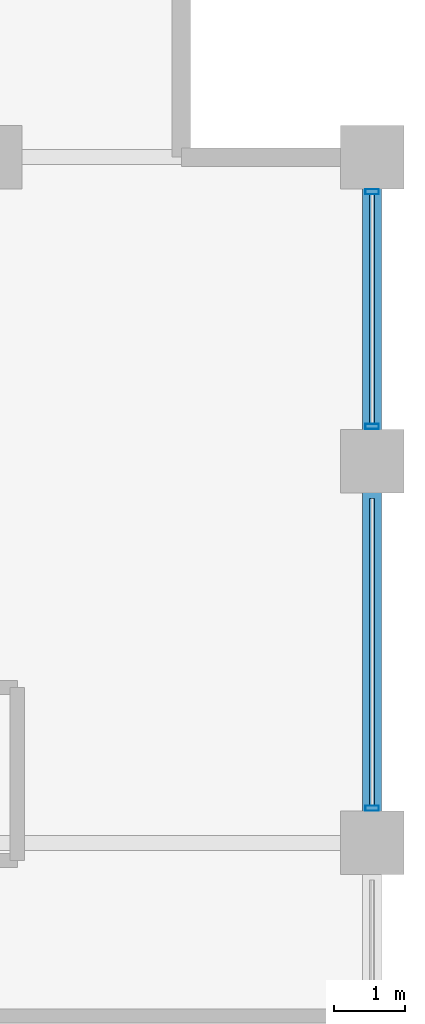
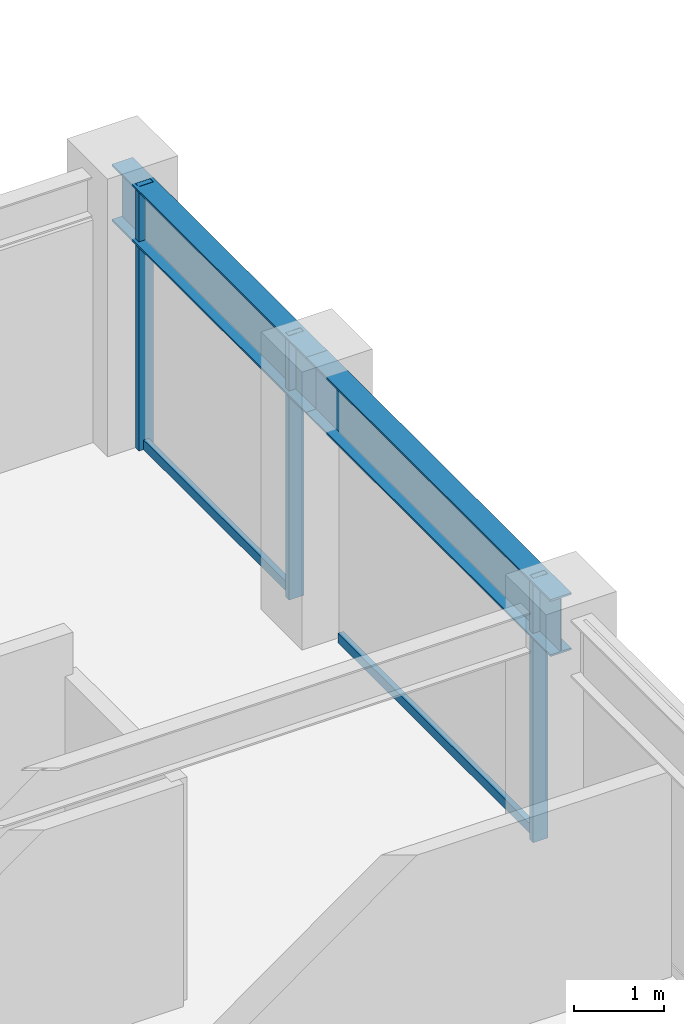
# One storey, part 25 of 32: 5 members, 2 beams, 1 element without a shape of its own.
"""IFC4 building model written with IfcOpenShell, lengths in metres."""

from ifc_helpers import new_model, si_unit, direction, frame, origin, origin_2d, place, context, subcontext, project, spatial, hollow_rectangle, i_section, extrude, material, layer, layer_set, material_profile, profile_set, type_object, element, aggregate, save


model = new_model("IFC4")

# Units and contexts
model_context = context("Model", 3, precision=1e-05, world=origin(), true_north=direction((0.0, 1.0)))
body_context = subcontext(model_context, "Body", "Model", "MODEL_VIEW")
ifc_project = project(units=[si_unit("LENGTHUNIT", "METRE"), si_unit("AREAUNIT", "SQUARE_METRE"), si_unit("VOLUMEUNIT", "CUBIC_METRE"), si_unit("PLANEANGLEUNIT", "RADIAN"), si_unit("MASSUNIT", "GRAM", prefix="KILO")], contexts=[model_context])

# Site, building, storey
site_placement = place(None, origin())
site = spatial("IfcSite", under=ifc_project, at=site_placement, CompositionType="ELEMENT")
building_placement = place(site_placement, origin())
building = spatial("IfcBuilding", under=site, at=building_placement, Name="Surkhivell Harbour Commons", CompositionType="ELEMENT")
storey_placement = place(building_placement, frame((0.0, 0.0, 208.5)))
storey = spatial("IfcBuildingStorey", under=building, at=storey_placement, Name="L54", CompositionType="ELEMENT", Elevation=208.5)

# Beams
ifc_material_1 = material(Name="Steel S355", Category="steel")
ifc_material_profile_1 = material_profile(ifc_material_1, i_section(OverallWidth=0.26806640625, OverallDepth=0.77001953125, WebThickness=0.015625, FlangeThickness=0.025390625, at=origin_2d()), Name="UB762x267x197")
ifc_profile_set_1 = profile_set([ifc_material_profile_1], Name="Steel S355")
beam_type = type_object("IfcBeamType", Name="BM-SPN-762", PredefinedType="SPANDREL", material=ifc_profile_set_1)
beam_1_placement = place(storey_placement, frame((21.60009765625, 10.800048828125, 3.18505859375), z_axis=(0.0, 1.0, 0.0), x_axis=(-1.0, 0.0, 0.0)))
element("IfcBeam", 1, at=beam_1_placement, inside=storey, type_object=beam_type, Name="L54 Tube Spandrel (21.6,10.8)", PredefinedType="SPANDREL", context=body_context, shape_type="SweptSolid", body=[
    extrude(i_section(OverallWidth=0.26806640625, OverallDepth=0.77001953125, WebThickness=0.015625, FlangeThickness=0.025390625, at=origin_2d()), origin(), (0.0, 0.0, 1.0), 5.39990234375),
])
beam_2_placement = place(storey_placement, frame((21.60009765625, 16.199951171875, 3.18505859375), z_axis=(0.0, 1.0, 0.0), x_axis=(-1.0, 0.0, 0.0)))
element("IfcBeam", 2, at=beam_2_placement, inside=storey, type_object=beam_type, Name="L54 Tube Spandrel (21.6,16.2)", PredefinedType="SPANDREL", context=body_context, shape_type="SweptSolid", body=[
    extrude(i_section(OverallWidth=0.26806640625, OverallDepth=0.77001953125, WebThickness=0.015625, FlangeThickness=0.025390625, at=origin_2d()), origin(), (0.0, 0.0, 1.0), 4.300048828125),
])

# Curtain wall, members
ifc_material_2 = material(Name="Anodised pale-metal aluminium and insulated glazing", Category="aluminium")
ifc_layer = layer(ifc_material_2, 0.18994140625)
ifc_layer_set = layer_set([ifc_layer], Name="Anodised pale-metal aluminium and insulated glazing")
curtain_wall_type = type_object("IfcCurtainWallType", Name="CW-SYS-Z3", PredefinedType="NOTDEFINED", material=ifc_layer_set)
curtain_wall_placement = place(storey_placement, origin())
curtain_wall = element("IfcCurtainWall", 3, at=curtain_wall_placement, inside=storey, type_object=curtain_wall_type, Name="L54 Curtain Wall CW-L54-E02", PredefinedType="NOTDEFINED")
ifc_material_3 = material(Name="Anodised pale-metal aluminium alloy 6063-T6", Category="aluminium")
ifc_material_profile_2 = material_profile(ifc_material_3, hollow_rectangle(XDim=0.074951171875, YDim=0.18994140625, WallThickness=0.00390625, at=origin_2d()), Name="ALU-MULL-75x190")
ifc_profile_set_2 = profile_set([ifc_material_profile_2], Name="Anodised pale-metal aluminium alloy 6063-T6")
member_type_1 = type_object("IfcMemberType", Name="CWM-190", PredefinedType="MULLION", material=ifc_profile_set_2)
member_1_placement = place(storey_placement, frame((21.60009765625, 11.28955078125, 0.0), z_axis=(0.0, 0.0, 1.0), x_axis=(0.0, 1.0, 0.0)))
member_1 = element("IfcMember", 4, at=member_1_placement, type_object=member_type_1, Name="CW-Z3 mullion 4", PredefinedType="MULLION", context=body_context, shape_type="SweptSolid", body=[
    extrude(hollow_rectangle(XDim=0.074951171875, YDim=0.18994140625, WallThickness=0.00390625, at=origin_2d()), origin(), (0.0, 0.0, 1.0), 3.570068359375),
])
member_2_placement = place(storey_placement, frame((21.60009765625, 16.689453125, 0.0), z_axis=(0.0, 0.0, 1.0), x_axis=(0.0, 1.0, 0.0)))
member_2 = element("IfcMember", 5, at=member_2_placement, type_object=member_type_1, Name="CW-Z3 mullion 5", PredefinedType="MULLION", context=body_context, shape_type="SweptSolid", body=[
    extrude(hollow_rectangle(XDim=0.074951171875, YDim=0.18994140625, WallThickness=0.00390625, at=origin_2d()), origin(), (0.0, 0.0, 1.0), 3.570068359375),
])
member_3_placement = place(storey_placement, frame((21.60009765625, 20.010498046875, 0.0), z_axis=(0.0, 0.0, 1.0), x_axis=(0.0, 1.0, 0.0)))
member_3 = element("IfcMember", 6, at=member_3_placement, type_object=member_type_1, Name="CW-Z3 mullion 6", PredefinedType="MULLION", context=body_context, shape_type="SweptSolid", body=[
    extrude(hollow_rectangle(XDim=0.074951171875, YDim=0.18994140625, WallThickness=0.00390625, at=origin_2d()), origin(), (0.0, 0.0, 1.0), 3.570068359375),
])
ifc_material_4 = material(Name="Champagne anodised aluminium alloy 6063-T6", Category="aluminium")
ifc_material_profile_3 = material_profile(ifc_material_4, hollow_rectangle(XDim=0.070068359375, YDim=0.1298828125, WallThickness=0.00341796875, at=origin_2d()), Name="ALU-TRAN-70x130")
ifc_profile_set_3 = profile_set([ifc_material_profile_3], Name="Champagne anodised aluminium alloy 6063-T6")
member_type_2 = type_object("IfcMemberType", Name="CWT-130", PredefinedType="USERDEFINED", material=ifc_profile_set_3)
member_4_placement = place(storey_placement, frame((21.60009765625, 11.326904296875, 0.06494140625), z_axis=(0.0, 1.0, 0.0), x_axis=(-1.0, 0.0, 0.0)))
member_4 = element("IfcMember", 7, at=member_4_placement, type_object=member_type_2, Name="CW-Z3 transom 4.1", ObjectType="TRANSOM", PredefinedType="USERDEFINED", context=body_context, shape_type="SweptSolid", body=[
    extrude(hollow_rectangle(XDim=0.070068359375, YDim=0.1298828125, WallThickness=0.00341796875, at=origin_2d()), origin(), (0.0, 0.0, 1.0), 4.34619140625),
])
member_5_placement = place(storey_placement, frame((21.60009765625, 16.72705078125, 0.06494140625), z_axis=(0.0, 1.0, 0.0), x_axis=(-1.0, 0.0, 0.0)))
member_5 = element("IfcMember", 8, at=member_5_placement, type_object=member_type_2, Name="CW-Z3 transom 5.1", ObjectType="TRANSOM", PredefinedType="USERDEFINED", context=body_context, shape_type="SweptSolid", body=[
    extrude(hollow_rectangle(XDim=0.070068359375, YDim=0.1298828125, WallThickness=0.00341796875, at=origin_2d()), origin(), (0.0, 0.0, 1.0), 3.245849609375),
])
aggregate(curtain_wall, [member_1, member_4, member_2, member_3, member_5])

save(model, "model.ifc")
